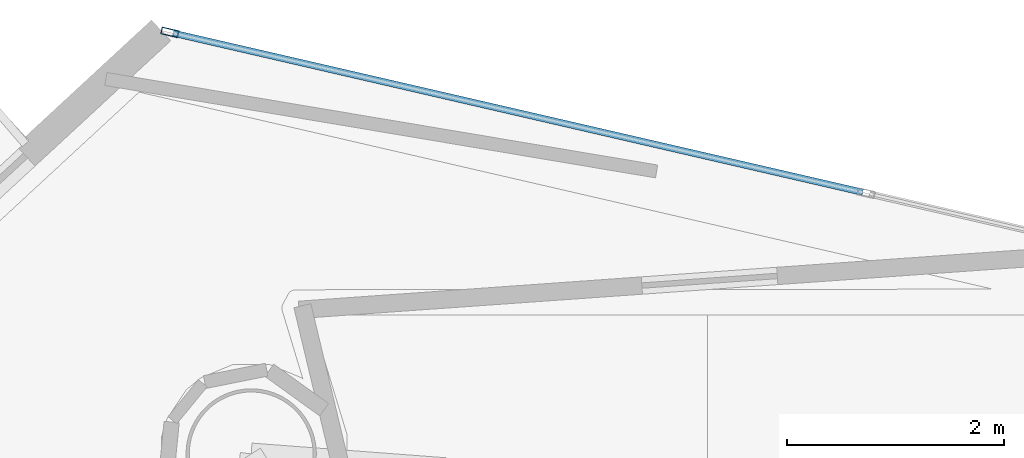
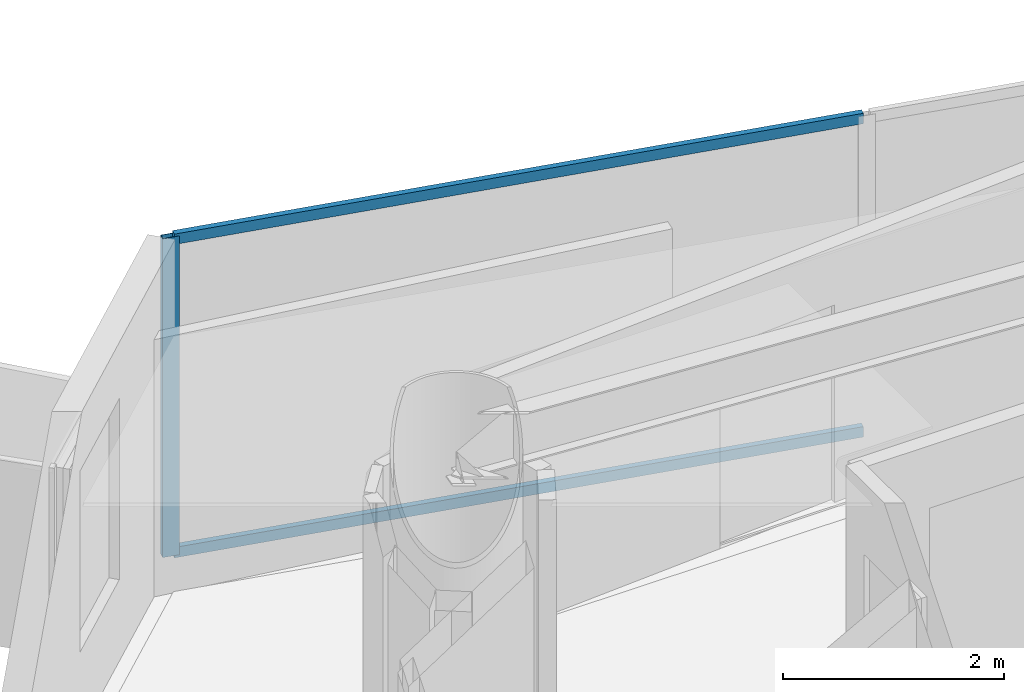
# One storey, part 15 of 22: 3 members, 1 element without a shape of its own.
"""IFC4 building model written with IfcOpenShell, lengths in metres."""

import ifcopenshell
import ifcopenshell.guid

model = None  # the IFC model being written
_history = None  # IfcOwnerHistory: only IFC2X3 demands one
_inside = {}  # id of a spatial element -> (the spatial element, [elements in it])
_under = {}  # id of a project, library or spatial element -> (it, [spatial elements below it])
_declared = {}  # id of a project -> (the project, [libraries it declares])
_typed = {}  # id of a type object -> (the type object, [elements of that type])
_made_of = {}  # id of a material, layer set ... -> (it, [elements and type objects made of it])


def new_model(schema):
    """Start an empty IFC model of exactly this schema.

    Asked for "IFC4X3", IfcOpenShell would pick the latest addendum, in which some entities
    have other attributes; the version numbers below select the first issue.
    IFC2X3 requires an IfcOwnerHistory on every rooted entity: one is made here for all.
    """
    global model, _history
    if schema == "IFC4X3":
        model = ifcopenshell.file(schema_version=(4, 3, 0, 0))
    else:
        model = ifcopenshell.file(schema=schema)
    _inside.clear()
    _under.clear()
    _declared.clear()
    _typed.clear()
    _made_of.clear()
    _history = None
    if model.schema == "IFC2X3":
        org = make("IfcOrganization", Name="unknown")
        user = make(
            "IfcPersonAndOrganization",
            ThePerson=make("IfcPerson", FamilyName="unknown"),
            TheOrganization=org,
        )
        app = make(
            "IfcApplication",
            ApplicationDeveloper=org,
            Version="unknown",
            ApplicationFullName="unknown",
            ApplicationIdentifier="unknown",
        )
        _history = make(
            "IfcOwnerHistory",
            OwningUser=user,
            OwningApplication=app,
            ChangeAction="ADDED",
            CreationDate=0,
        )
    return model


def make(cls, **values):
    """One entity of the class cls with the attributes given. An attribute that is None is left unset."""
    return model.create_entity(
        cls, **{name: value for name, value in values.items() if value is not None}
    )


def rooted(cls, **values):
    """An entity with a GlobalId (a new one), such as an element, a storey or a relation."""
    return make(cls, GlobalId=ifcopenshell.guid.new(), OwnerHistory=_history, **values)


def si_unit(unit_type, name, prefix=None):
    """IfcSIUnit, for example si_unit("LENGTHUNIT", "METRE", prefix="MILLI")."""
    return make("IfcSIUnit", UnitType=unit_type, Prefix=prefix, Name=name)


def assignment(units):
    """IfcUnitAssignment: the units of a project."""
    return None if units is None else make("IfcUnitAssignment", Units=units)


def point(xyz):
    """IfcCartesianPoint."""
    return None if xyz is None else make("IfcCartesianPoint", Coordinates=xyz)


def direction(xyz):
    """IfcDirection."""
    return None if xyz is None else make("IfcDirection", DirectionRatios=xyz)


def frame(location, z_axis=None, x_axis=None):
    """IfcAxis2Placement3D, a coordinate frame: its origin and axes. An axis left out is left unset."""
    return make(
        "IfcAxis2Placement3D",
        Location=point(location),
        Axis=direction(z_axis),
        RefDirection=direction(x_axis),
    )


def frame_2d(location, x_axis=None):
    """IfcAxis2Placement2D, a coordinate frame in the plane: its origin and x axis."""
    return make(
        "IfcAxis2Placement2D", Location=point(location), RefDirection=direction(x_axis)
    )


def origin():
    """The frame at (0, 0, 0) with its axes left unset."""
    return frame((0.0, 0.0, 0.0))


def origin_2d():
    """The frame at (0, 0) in the plane with its x axis left unset."""
    return frame_2d((0.0, 0.0))


def place(relative_to, where):
    """IfcLocalPlacement: puts the frame where relative to a parent placement (None: the world)."""
    return make(
        "IfcLocalPlacement", PlacementRelTo=relative_to, RelativePlacement=where
    )


def context(
    kind, dimensions, precision=None, world=None, true_north=None, identifier=None
):
    """IfcGeometricRepresentationContext, for example the 3D "Model" context."""
    return make(
        "IfcGeometricRepresentationContext",
        ContextIdentifier=identifier,
        ContextType=kind,
        CoordinateSpaceDimension=dimensions,
        Precision=precision,
        WorldCoordinateSystem=world,
        TrueNorth=true_north,
    )


def subcontext(parent, identifier, kind, view, scale=None):
    """IfcGeometricRepresentationSubContext, for example "Body" below "Model"."""
    return make(
        "IfcGeometricRepresentationSubContext",
        ContextIdentifier=identifier,
        ContextType=kind,
        ParentContext=parent,
        TargetScale=scale,
        TargetView=view,
    )


def project(units=None, contexts=None):
    """IfcProject with its units and contexts."""
    return rooted(
        "IfcProject",
        Name="project",
        RepresentationContexts=contexts,
        UnitsInContext=assignment(units),
    )


def spatial(cls, under=None, at=None, **own):
    """A site, building, storey or space (cls), placed at a placement, below another one or the project."""
    s = rooted(cls, ObjectPlacement=at, **own)
    if under is not None:
        _under.setdefault(under.id(), (under, []))[1].append(s)
    return s


def profile(cls, at=None, kind="AREA", **sizes):
    """A parametric profile (cls). Its sizes go by their IFC names, for example OverallWidth=200.0."""
    return make(cls, ProfileType=kind, Position=at, **sizes)


def hollow_rectangle(**sizes):
    """IfcRectangleHollowProfileDef."""
    return profile("IfcRectangleHollowProfileDef", **sizes)


def extrude(swept, where, along, depth):
    """IfcExtrudedAreaSolid: the profile swept, set in the frame where, extruded along a direction by depth."""
    return make(
        "IfcExtrudedAreaSolid",
        SweptArea=swept,
        Position=where,
        ExtrudedDirection=direction(along),
        Depth=depth,
    )


def shape(context_of_items, identifier, shape_type, items):
    """IfcShapeRepresentation: the items that make up one representation, for example the "Body"."""
    return make(
        "IfcShapeRepresentation",
        ContextOfItems=context_of_items,
        RepresentationIdentifier=identifier,
        RepresentationType=shape_type,
        Items=items,
    )


def material(Name=None, Category=None):
    """IfcMaterial."""
    return make("IfcMaterial", Name=Name, Category=Category)


def layer(
    of_material, thickness, ventilated=None, Name=None, Category=None, Priority=None
):
    """IfcMaterialLayer: one layer of a wall or slab, of a material (None: an air gap)."""
    return make(
        "IfcMaterialLayer",
        Material=of_material,
        LayerThickness=thickness,
        IsVentilated=ventilated,
        Name=Name,
        Category=Category,
        Priority=Priority,
    )


def layer_set(layers, Name=None):
    """IfcMaterialLayerSet."""
    return make("IfcMaterialLayerSet", MaterialLayers=layers, LayerSetName=Name)


def material_profile(
    of_material, cross_section, Name=None, Category=None, Priority=None
):
    """IfcMaterialProfile: a cross section and its material."""
    return make(
        "IfcMaterialProfile",
        Name=Name,
        Material=of_material,
        Profile=cross_section,
        Priority=Priority,
        Category=Category,
    )


def profile_set(profiles, Name=None, composite=None):
    """IfcMaterialProfileSet."""
    return make(
        "IfcMaterialProfileSet",
        Name=Name,
        MaterialProfiles=profiles,
        CompositeProfile=composite,
    )


def made_of(thing, what):
    """Note that an element or type object is made of a material, layer set ...; save() writes the relation."""
    if what is not None:
        _made_of.setdefault(what.id(), (what, []))[1].append(thing)
    return thing


def type_object(cls, material=None, **own):
    """A type object (cls), such as IfcWallType, which elements share."""
    return made_of(rooted(cls, **own), material)


def element(
    cls,
    number,
    at=None,
    inside=None,
    cuts=None,
    type_object=None,
    material=None,
    context=None,
    identifier="Body",
    shape_type=None,
    held_by="IfcProductDefinitionShape",
    body=None,
    shapes=None,
    **own,
):
    """One element of the class cls, such as IfcWall. Its Tag is "e" and its number.

    at: its placement. inside: the storey or other place that contains it. cuts: it is an
    opening in that element (IfcRelVoidsElement). A single representation is given by context,
    identifier, shape_type and body (its items); several are given by shapes. held_by: the class
    of the entity that holds the representations. save() writes the other relations.
    """
    e = rooted(cls, Tag="e%d" % number, ObjectPlacement=at, **own)
    if body is not None:
        shapes = [shape(context, identifier, shape_type, body)]
    if shapes is not None:
        e.Representation = make(held_by, Representations=shapes)
    if inside is not None:
        _inside.setdefault(inside.id(), (inside, []))[1].append(e)
    if cuts is not None:
        rooted(
            "IfcRelVoidsElement", RelatingBuildingElement=cuts, RelatedOpeningElement=e
        )
    if type_object is not None:
        _typed.setdefault(type_object.id(), (type_object, []))[1].append(e)
    return made_of(e, material)


def aggregate(whole, parts):
    """IfcRelAggregates: a whole, such as a stair, and the parts it consists of."""
    return rooted("IfcRelAggregates", RelatingObject=whole, RelatedObjects=parts)


def save(model, path):
    """Write the relations noted so far, then the file.

    IfcRelAggregates (storeys below a building ...), IfcRelContainedInSpatialStructure (elements
    in a storey), IfcRelDefinesByType, IfcRelAssociatesMaterial and IfcRelDeclares: one each for
    every whole, place, type object, material and project.
    """
    for whole, parts in _under.values():
        aggregate(whole, parts)
    for where, things in _inside.values():
        rooted(
            "IfcRelContainedInSpatialStructure",
            RelatedElements=things,
            RelatingStructure=where,
        )
    for kind, things in _typed.values():
        rooted("IfcRelDefinesByType", RelatedObjects=things, RelatingType=kind)
    for what, things in _made_of.values():
        rooted("IfcRelAssociatesMaterial", RelatedObjects=things, RelatingMaterial=what)
    for by, libraries in _declared.values():
        rooted("IfcRelDeclares", RelatingContext=by, RelatedDefinitions=libraries)
    model.write(path)


model = new_model("IFC4")

# Units and contexts
model_context = context("Model", 3, precision=1e-05, world=origin(), true_north=direction((0.0, 1.0)))
body_context = subcontext(model_context, "Body", "Model", "MODEL_VIEW")
ifc_project = project(units=[si_unit("LENGTHUNIT", "METRE"), si_unit("AREAUNIT", "SQUARE_METRE"), si_unit("VOLUMEUNIT", "CUBIC_METRE"), si_unit("PLANEANGLEUNIT", "RADIAN"), si_unit("MASSUNIT", "GRAM", prefix="KILO")], contexts=[model_context])

# Site, building, storey
site_placement = place(None, origin())
site = spatial("IfcSite", under=ifc_project, at=site_placement, CompositionType="ELEMENT")
building_placement = place(site_placement, origin())
building = spatial("IfcBuilding", under=site, at=building_placement, Name="Qianvela Tower", CompositionType="ELEMENT")
storey_placement = place(building_placement, frame((0.0, 0.0, 204.0)))
storey = spatial("IfcBuildingStorey", under=building, at=storey_placement, Name="L52", CompositionType="ELEMENT", Elevation=204.0)

# Curtain wall, members
ifc_material_1 = material(Name="Anodised Architectural Aluminium and Low-E Glass", Category="aluminium")
ifc_layer = layer(ifc_material_1, 0.159912109375)
ifc_layer_set = layer_set([ifc_layer], Name="Anodised Architectural Aluminium and Low-E Glass")
curtain_wall_type = type_object("IfcCurtainWallType", Name="CW-COLIV-Z56", PredefinedType="USERDEFINED", material=ifc_layer_set)
curtain_wall_placement = place(storey_placement, origin())
curtain_wall = element("IfcCurtainWall", 1, at=curtain_wall_placement, inside=storey, type_object=curtain_wall_type, Name="L52 CW-COLIV-Z56 Curtain Wall 02C", ObjectType="CURTAIN_WALL_SYSTEM", PredefinedType="USERDEFINED")
ifc_material_2 = material(Name="Anodised Architectural Aluminium 6063-T6", Category="aluminium")
ifc_material_profile_1 = material_profile(ifc_material_2, hollow_rectangle(XDim=0.06494140625, YDim=0.159912109375, WallThickness=0.0048828125, at=origin_2d()), Name="ALU-MULL-65x160")
ifc_profile_set_1 = profile_set([ifc_material_profile_1], Name="Anodised Architectural Aluminium 6063-T6")
member_type_1 = type_object("IfcMemberType", Name="CW-COLIV-Z56-MULL", PredefinedType="MULLION", material=ifc_profile_set_1)
member_1_placement = place(storey_placement, frame((25.681396484375, 40.87451171875, 0.0), z_axis=(0.0, 0.0, 1.0), x_axis=(-0.224835765484, -0.974396674132, 0.0)))
member_1 = element("IfcMember", 2, at=member_1_placement, type_object=member_type_1, Name="CW-5 mullion 3", PredefinedType="MULLION", context=body_context, shape_type="SweptSolid", body=[
    extrude(hollow_rectangle(XDim=0.06494140625, YDim=0.159912109375, WallThickness=0.0048828125, at=origin_2d()), origin(), (0.0, 0.0, 1.0), 3.52001953125),
])
ifc_material_3 = material(Name="Anodised Architectural Aluminium 6063-T6", Category="aluminium")
ifc_material_profile_2 = material_profile(ifc_material_3, hollow_rectangle(XDim=0.06005859375, YDim=0.114990234375, WallThickness=0.00390625, at=origin_2d()), Name="ALU-TRAN-60x115")
ifc_profile_set_2 = profile_set([ifc_material_profile_2], Name="Anodised Architectural Aluminium 6063-T6")
member_type_2 = type_object("IfcMemberType", Name="CW-COLIV-Z56-TRAN", PredefinedType="USERDEFINED", material=ifc_profile_set_2)
member_2_placement = place(storey_placement, frame((32.062744140625, 39.402099609375, 0.030029296875), z_axis=(-0.974398141048, 0.224829408045, 0.0), x_axis=(-0.224829408045, -0.974398141048, 0.0)))
member_2 = element("IfcMember", 3, at=member_2_placement, type_object=member_type_2, Name="CW-5 transom 2.1", ObjectType="TRANSOM", PredefinedType="USERDEFINED", context=body_context, shape_type="SweptSolid", body=[
    extrude(hollow_rectangle(XDim=0.06005859375, YDim=0.114990234375, WallThickness=0.00390625, at=origin_2d()), origin(), (0.0, 0.0, 1.0), 6.516357421875),
])
member_3_placement = place(storey_placement, frame((32.062744140625, 39.402099609375, 3.489990234375), z_axis=(-0.974398141048, 0.224829408045, 0.0), x_axis=(-0.224829408045, -0.974398141048, 0.0)))
member_3 = element("IfcMember", 4, at=member_3_placement, type_object=member_type_2, Name="CW-5 transom 2.2", ObjectType="TRANSOM", PredefinedType="USERDEFINED", context=body_context, shape_type="SweptSolid", body=[
    extrude(hollow_rectangle(XDim=0.06005859375, YDim=0.114990234375, WallThickness=0.00390625, at=origin_2d()), origin(), (0.0, 0.0, 1.0), 6.516357421875),
])
aggregate(curtain_wall, [member_1, member_2, member_3])

save(model, "model.ifc")
